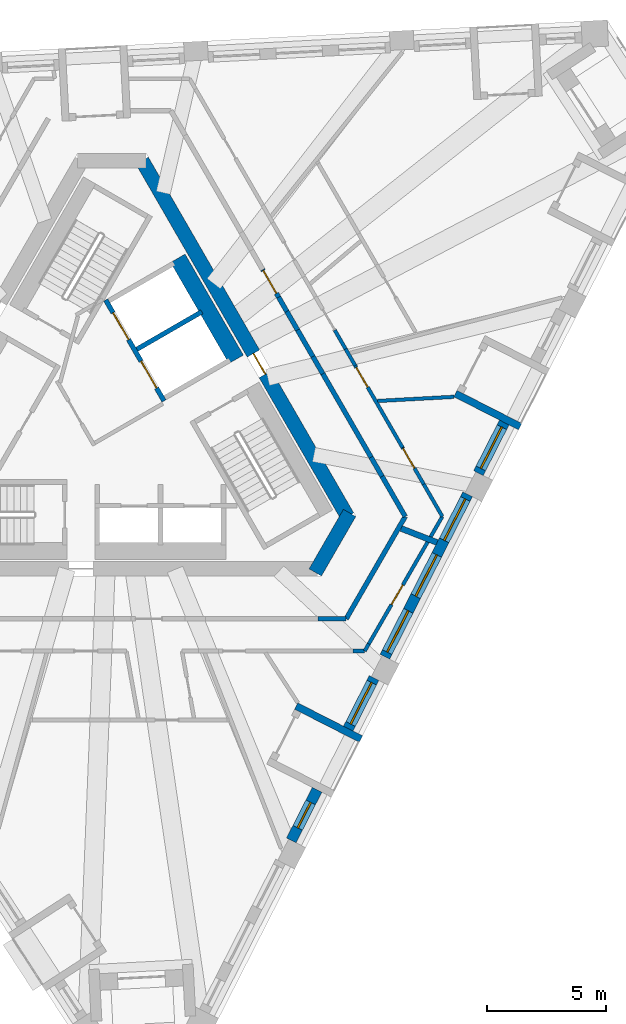
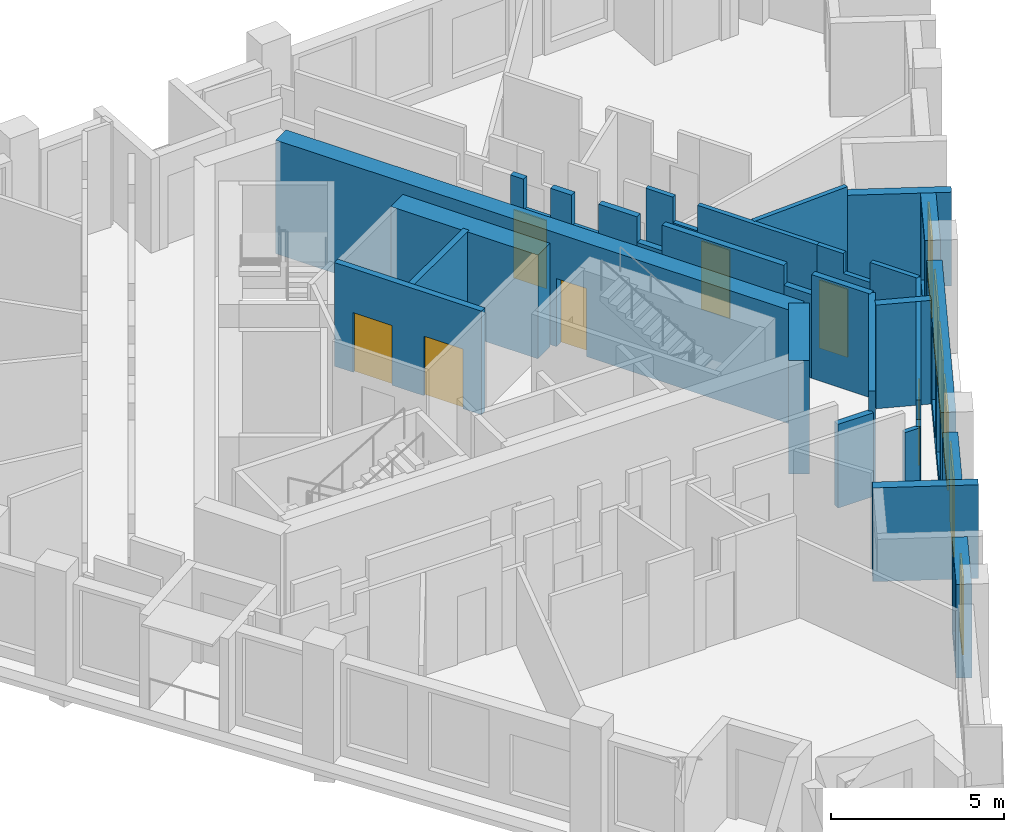
# One storey, part 5 of 12: 31 walls, 7 doors, 6 windows, 13 openings.
"""IFC4 building model written with IfcOpenShell, lengths in metres."""

import ifcopenshell
import ifcopenshell.guid

model = None  # the IFC model being written
_history = None  # IfcOwnerHistory: only IFC2X3 demands one
_inside = {}  # id of a spatial element -> (the spatial element, [elements in it])
_under = {}  # id of a project, library or spatial element -> (it, [spatial elements below it])
_declared = {}  # id of a project -> (the project, [libraries it declares])
_typed = {}  # id of a type object -> (the type object, [elements of that type])
_made_of = {}  # id of a material, layer set ... -> (it, [elements and type objects made of it])


def new_model(schema):
    """Start an empty IFC model of exactly this schema.

    Asked for "IFC4X3", IfcOpenShell would pick the latest addendum, in which some entities
    have other attributes; the version numbers below select the first issue.
    IFC2X3 requires an IfcOwnerHistory on every rooted entity: one is made here for all.
    """
    global model, _history
    if schema == "IFC4X3":
        model = ifcopenshell.file(schema_version=(4, 3, 0, 0))
    else:
        model = ifcopenshell.file(schema=schema)
    _inside.clear()
    _under.clear()
    _declared.clear()
    _typed.clear()
    _made_of.clear()
    _history = None
    if model.schema == "IFC2X3":
        org = make("IfcOrganization", Name="unknown")
        user = make(
            "IfcPersonAndOrganization",
            ThePerson=make("IfcPerson", FamilyName="unknown"),
            TheOrganization=org,
        )
        app = make(
            "IfcApplication",
            ApplicationDeveloper=org,
            Version="unknown",
            ApplicationFullName="unknown",
            ApplicationIdentifier="unknown",
        )
        _history = make(
            "IfcOwnerHistory",
            OwningUser=user,
            OwningApplication=app,
            ChangeAction="ADDED",
            CreationDate=0,
        )
    return model


def make(cls, **values):
    """One entity of the class cls with the attributes given. An attribute that is None is left unset."""
    return model.create_entity(
        cls, **{name: value for name, value in values.items() if value is not None}
    )


def rooted(cls, **values):
    """An entity with a GlobalId (a new one), such as an element, a storey or a relation."""
    return make(cls, GlobalId=ifcopenshell.guid.new(), OwnerHistory=_history, **values)


def si_unit(unit_type, name, prefix=None):
    """IfcSIUnit, for example si_unit("LENGTHUNIT", "METRE", prefix="MILLI")."""
    return make("IfcSIUnit", UnitType=unit_type, Prefix=prefix, Name=name)


def assignment(units):
    """IfcUnitAssignment: the units of a project."""
    return None if units is None else make("IfcUnitAssignment", Units=units)


def point(xyz):
    """IfcCartesianPoint."""
    return None if xyz is None else make("IfcCartesianPoint", Coordinates=xyz)


def direction(xyz):
    """IfcDirection."""
    return None if xyz is None else make("IfcDirection", DirectionRatios=xyz)


def frame(location, z_axis=None, x_axis=None):
    """IfcAxis2Placement3D, a coordinate frame: its origin and axes. An axis left out is left unset."""
    return make(
        "IfcAxis2Placement3D",
        Location=point(location),
        Axis=direction(z_axis),
        RefDirection=direction(x_axis),
    )


def frame_2d(location, x_axis=None):
    """IfcAxis2Placement2D, a coordinate frame in the plane: its origin and x axis."""
    return make(
        "IfcAxis2Placement2D", Location=point(location), RefDirection=direction(x_axis)
    )


def origin():
    """The frame at (0, 0, 0) with its axes left unset."""
    return frame((0.0, 0.0, 0.0))


def place(relative_to, where):
    """IfcLocalPlacement: puts the frame where relative to a parent placement (None: the world)."""
    return make(
        "IfcLocalPlacement", PlacementRelTo=relative_to, RelativePlacement=where
    )


def context(
    kind, dimensions, precision=None, world=None, true_north=None, identifier=None
):
    """IfcGeometricRepresentationContext, for example the 3D "Model" context."""
    return make(
        "IfcGeometricRepresentationContext",
        ContextIdentifier=identifier,
        ContextType=kind,
        CoordinateSpaceDimension=dimensions,
        Precision=precision,
        WorldCoordinateSystem=world,
        TrueNorth=true_north,
    )


def subcontext(parent, identifier, kind, view, scale=None):
    """IfcGeometricRepresentationSubContext, for example "Body" below "Model"."""
    return make(
        "IfcGeometricRepresentationSubContext",
        ContextIdentifier=identifier,
        ContextType=kind,
        ParentContext=parent,
        TargetScale=scale,
        TargetView=view,
    )


def project(units=None, contexts=None):
    """IfcProject with its units and contexts."""
    return rooted(
        "IfcProject",
        Name="project",
        RepresentationContexts=contexts,
        UnitsInContext=assignment(units),
    )


def spatial(cls, under=None, at=None, **own):
    """A site, building, storey or space (cls), placed at a placement, below another one or the project."""
    s = rooted(cls, ObjectPlacement=at, **own)
    if under is not None:
        _under.setdefault(under.id(), (under, []))[1].append(s)
    return s


def polyline(points):
    """IfcPolyline through the points."""
    return make("IfcPolyline", Points=[point(p) for p in points])


def profile(cls, at=None, kind="AREA", **sizes):
    """A parametric profile (cls). Its sizes go by their IFC names, for example OverallWidth=200.0."""
    return make(cls, ProfileType=kind, Position=at, **sizes)


def rectangle(**sizes):
    """IfcRectangleProfileDef."""
    return profile("IfcRectangleProfileDef", **sizes)


def outline(outer, holes=None, kind="AREA"):
    """IfcArbitraryClosedProfileDef: a profile drawn as a closed curve; with holes, ...WithVoids."""
    if holes is None:
        return make("IfcArbitraryClosedProfileDef", ProfileType=kind, OuterCurve=outer)
    return make(
        "IfcArbitraryProfileDefWithVoids",
        ProfileType=kind,
        OuterCurve=outer,
        InnerCurves=holes,
    )


def extrude(swept, where, along, depth):
    """IfcExtrudedAreaSolid: the profile swept, set in the frame where, extruded along a direction by depth."""
    return make(
        "IfcExtrudedAreaSolid",
        SweptArea=swept,
        Position=where,
        ExtrudedDirection=direction(along),
        Depth=depth,
    )


def shape(context_of_items, identifier, shape_type, items):
    """IfcShapeRepresentation: the items that make up one representation, for example the "Body"."""
    return make(
        "IfcShapeRepresentation",
        ContextOfItems=context_of_items,
        RepresentationIdentifier=identifier,
        RepresentationType=shape_type,
        Items=items,
    )


def material(Name=None, Category=None):
    """IfcMaterial."""
    return make("IfcMaterial", Name=Name, Category=Category)


def layer(
    of_material, thickness, ventilated=None, Name=None, Category=None, Priority=None
):
    """IfcMaterialLayer: one layer of a wall or slab, of a material (None: an air gap)."""
    return make(
        "IfcMaterialLayer",
        Material=of_material,
        LayerThickness=thickness,
        IsVentilated=ventilated,
        Name=Name,
        Category=Category,
        Priority=Priority,
    )


def layer_set(layers, Name=None):
    """IfcMaterialLayerSet."""
    return make("IfcMaterialLayerSet", MaterialLayers=layers, LayerSetName=Name)


def made_of(thing, what):
    """Note that an element or type object is made of a material, layer set ...; save() writes the relation."""
    if what is not None:
        _made_of.setdefault(what.id(), (what, []))[1].append(thing)
    return thing


def type_object(cls, material=None, **own):
    """A type object (cls), such as IfcWallType, which elements share."""
    return made_of(rooted(cls, **own), material)


def element(
    cls,
    number,
    at=None,
    inside=None,
    cuts=None,
    type_object=None,
    material=None,
    context=None,
    identifier="Body",
    shape_type=None,
    held_by="IfcProductDefinitionShape",
    body=None,
    shapes=None,
    **own,
):
    """One element of the class cls, such as IfcWall. Its Tag is "e" and its number.

    at: its placement. inside: the storey or other place that contains it. cuts: it is an
    opening in that element (IfcRelVoidsElement). A single representation is given by context,
    identifier, shape_type and body (its items); several are given by shapes. held_by: the class
    of the entity that holds the representations. save() writes the other relations.
    """
    e = rooted(cls, Tag="e%d" % number, ObjectPlacement=at, **own)
    if body is not None:
        shapes = [shape(context, identifier, shape_type, body)]
    if shapes is not None:
        e.Representation = make(held_by, Representations=shapes)
    if inside is not None:
        _inside.setdefault(inside.id(), (inside, []))[1].append(e)
    if cuts is not None:
        rooted(
            "IfcRelVoidsElement", RelatingBuildingElement=cuts, RelatedOpeningElement=e
        )
    if type_object is not None:
        _typed.setdefault(type_object.id(), (type_object, []))[1].append(e)
    return made_of(e, material)


def fill(opening, filler):
    """IfcRelFillsElement: the door or window that sits in an opening."""
    return rooted(
        "IfcRelFillsElement",
        RelatingOpeningElement=opening,
        RelatedBuildingElement=filler,
    )


def aggregate(whole, parts):
    """IfcRelAggregates: a whole, such as a stair, and the parts it consists of."""
    return rooted("IfcRelAggregates", RelatingObject=whole, RelatedObjects=parts)


def save(model, path):
    """Write the relations noted so far, then the file.

    IfcRelAggregates (storeys below a building ...), IfcRelContainedInSpatialStructure (elements
    in a storey), IfcRelDefinesByType, IfcRelAssociatesMaterial and IfcRelDeclares: one each for
    every whole, place, type object, material and project.
    """
    for whole, parts in _under.values():
        aggregate(whole, parts)
    for where, things in _inside.values():
        rooted(
            "IfcRelContainedInSpatialStructure",
            RelatedElements=things,
            RelatingStructure=where,
        )
    for kind, things in _typed.values():
        rooted("IfcRelDefinesByType", RelatedObjects=things, RelatingType=kind)
    for what, things in _made_of.values():
        rooted("IfcRelAssociatesMaterial", RelatedObjects=things, RelatingMaterial=what)
    for by, libraries in _declared.values():
        rooted("IfcRelDeclares", RelatingContext=by, RelatedDefinitions=libraries)
    model.write(path)


model = new_model("IFC4")

# Units and contexts
model_context = context("Model", 3, precision=1e-05, world=origin(), true_north=direction((0.0, 1.0)))
body_context = subcontext(model_context, "Body", "Model", "MODEL_VIEW")
ifc_project = project(units=[si_unit("LENGTHUNIT", "METRE"), si_unit("AREAUNIT", "SQUARE_METRE"), si_unit("VOLUMEUNIT", "CUBIC_METRE"), si_unit("PLANEANGLEUNIT", "RADIAN"), si_unit("MASSUNIT", "GRAM", prefix="KILO")], contexts=[model_context])

# Site, building, storey
site_placement = place(None, origin())
site = spatial("IfcSite", under=ifc_project, at=site_placement, CompositionType="ELEMENT")
building_placement = place(site_placement, origin())
building = spatial("IfcBuilding", under=site, at=building_placement, Name="Tramontana Tower", CompositionType="ELEMENT")
storey_placement = place(building_placement, frame((0.0, 0.0, 278.39990234375)))
storey = spatial("IfcBuildingStorey", under=building, at=storey_placement, Name="L65", CompositionType="ELEMENT", Elevation=278.39990234375)

# Wall
ifc_material_1 = material(Name="Concrete 70 MPa", Category="concrete")
ifc_layer_1 = layer(ifc_material_1, 0.60009765625)
ifc_layer_set_1 = layer_set([ifc_layer_1], Name="Core wall 600 70 MPa")
wall_type_1 = type_object("IfcWallType", Name="Core wall 600 70 MPa", PredefinedType="SHEAR", material=ifc_layer_set_1)
wall_1_placement = place(storey_placement, frame((8.544921875, -6.60009765625, 0.0), z_axis=(0.0, 0.0, 1.0), x_axis=(0.499995765644, 0.866027848477, 0.0)))
element("IfcWall", 1, at=wall_1_placement, inside=storey, type_object=wall_type_1, Name="Core wall C4 L65", PredefinedType="SHEAR", context=body_context, shape_type="SweptSolid", body=[
    extrude(rectangle(XDim=2.88671875, YDim=0.60009765625, at=frame_2d((1.443359375, 0.0))), origin(), (0.0, 0.0, 1.0), 4.0),
])

# Wall, opening, door
wall_2_placement = place(storey_placement, frame((9.901611328125, -4.25, 0.0), z_axis=(0.0, 0.0, 1.0), x_axis=(-0.499999536116, 0.866025671608, 0.0)))
wall_2 = element("IfcWall", 2, at=wall_2_placement, inside=storey, type_object=wall_type_1, Name="Core wall C5 L65", PredefinedType="SHEAR", context=body_context, shape_type="SweptSolid", body=[
    extrude(rectangle(XDim=17.2626953125, YDim=0.60009765625, at=frame_2d((8.63134765625, 0.0))), origin(), (0.0, 0.0, 1.0), 4.0),
])
opening_1_placement = place(wall_2_placement, frame((6.906494140625, 0.0, 0.0)))
opening_1 = element("IfcOpeningElement", 3, at=opening_1_placement, cuts=wall_2, Name="Opening RG3", PredefinedType="OPENING", context=body_context, shape_type="SweptSolid", body=[
    extrude(rectangle(XDim=1.0, YDim=2.39990234375, at=frame_2d((0.5, 1.199951171875))), frame((0.0, 0.31005859375, 0.0), z_axis=(0.0, -1.0, 0.0), x_axis=(1.0, 0.0, 0.0)), (0.0, 0.0, 1.0), 0.6201171875),
])
ifc_material_2 = material(Name="Painted steel", Category="steel")
door_type_1 = type_object("IfcDoorType", Name="RING DOOR 1000", OperationType="SINGLE_SWING_LEFT", PredefinedType="DOOR", material=ifc_material_2)
door_1_placement = place(opening_1_placement, origin())
door_1 = element("IfcDoor", 4, at=door_1_placement, inside=storey, type_object=door_type_1, Name="Door RG3", OperationType="SINGLE_SWING_LEFT", OverallHeight=2.39990234375, OverallWidth=1.0, PredefinedType="DOOR", context=body_context, shape_type="SweptSolid", body=[
    extrude(rectangle(XDim=1.0, YDim=2.39990234375, at=frame_2d((0.5, 1.199951171875))), frame((0.0, 0.02490234375, 0.0), z_axis=(0.0, -1.0, 0.0), x_axis=(1.0, 0.0, 0.0)), (0.0, 0.0, 1.0), 0.050048828125),
])
fill(opening_1, door_1)

# Walls
ifc_material_3 = material(Name="Blockwork", Category="masonry")
ifc_layer_2 = layer(ifc_material_3, 0.199951171875)
ifc_layer_set_2 = layer_set([ifc_layer_2], Name="ENTRY WALL 200")
wall_type_2 = type_object("IfcWallType", Name="ENTRY WALL 200", PredefinedType="SOLIDWALL", material=ifc_layer_set_2)
wall_3_placement = place(storey_placement, frame((12.326416015625, -4.25, 0.0), z_axis=(0.0, 0.0, 1.0), x_axis=(-0.50000478328, -0.866022642139, 0.0)))
element("IfcWall", 5, at=wall_3_placement, inside=storey, type_object=wall_type_2, Name="Wall v70-ew0", PredefinedType="SOLIDWALL", context=body_context, shape_type="SweptSolid", body=[
    extrude(rectangle(XDim=4.96533203125, YDim=0.199951171875, at=frame_2d((2.482666015625, 0.0))), origin(), (0.0, 0.0, 1.0), 3.650146484375),
])
wall_4_placement = place(storey_placement, frame((9.84375, -8.550048828125, 0.0), z_axis=(0.0, 0.0, 1.0), x_axis=(-1.0, 0.0, 0.0)))
element("IfcWall", 6, at=wall_4_placement, inside=storey, type_object=wall_type_2, Name="Wall v70-ew1-0", PredefinedType="SOLIDWALL", context=body_context, shape_type="SweptSolid", body=[
    extrude(rectangle(XDim=1.1884765625, YDim=0.199951171875, at=frame_2d((0.59423828125, 0.0))), origin(), (0.0, 0.0, 1.0), 2.9501953125),
])

# Wall, opening, door
wall_5_placement = place(storey_placement, frame((6.33740234375, 6.123291015625, 0.0), z_axis=(0.0, 0.0, 1.0), x_axis=(0.499943416353, -0.866058069904, 0.0)))
wall_5 = element("IfcWall", 7, at=wall_5_placement, inside=storey, type_object=wall_type_2, Name="Wall v70-ew5-4", PredefinedType="SOLIDWALL", context=body_context, shape_type="SweptSolid", body=[
    extrude(outline(polyline([(0.0, 0.0), (1.339111328125, 0.0), (1.3388671875, 2.550048828125), (0.429443359375, 2.550048828125), (0.429443359375, 3.650146484375), (0.0, 3.650146484375), (0.0, 0.0)])), frame((0.0, 0.10009765625, 0.0), z_axis=(0.0, -1.0, 0.0), x_axis=(1.0, 0.0, 0.0)), (0.0, 0.0, 1.0), 0.199951171875),
])
opening_2_placement = place(wall_5_placement, frame((0.050048828125, 0.0, 0.0)))
opening_2 = element("IfcOpeningElement", 8, at=opening_2_placement, cuts=wall_5, Name="Opening B7A-23", PredefinedType="OPENING", context=body_context, shape_type="SweptSolid", body=[
    extrude(rectangle(XDim=1.10009765625, YDim=2.39990234375, at=frame_2d((0.550048828125, 1.199951171875))), frame((0.0, 0.10986328125, 0.0), z_axis=(0.0, -1.0, 0.0), x_axis=(1.0, 0.0, 0.0)), (0.0, 0.0, 1.0), 0.219970703125),
])
ifc_material_4 = material(Name="Painted timber", Category="wood")
door_type_2 = type_object("IfcDoorType", Name="DOOR ENTRY 1100", OperationType="SINGLE_SWING_LEFT", PredefinedType="DOOR", material=ifc_material_4)
door_2_placement = place(opening_2_placement, origin())
door_2 = element("IfcDoor", 9, at=door_2_placement, inside=storey, type_object=door_type_2, Name="Door B7A-23", OperationType="SINGLE_SWING_LEFT", OverallHeight=2.39990234375, OverallWidth=1.10009765625, PredefinedType="DOOR", context=body_context, shape_type="SweptSolid", body=[
    extrude(rectangle(XDim=1.10009765625, YDim=2.39990234375, at=frame_2d((0.550048828125, 1.199951171875))), frame((0.0, 0.02490234375, 0.0), z_axis=(0.0, -1.0, 0.0), x_axis=(1.0, 0.0, 0.0)), (0.0, 0.0, 1.0), 0.050048828125),
])
fill(opening_2, door_2)

# Walls
wall_6_placement = place(storey_placement, frame((7.0068359375, 4.963623046875, 0.0), z_axis=(0.0, 0.0, 1.0), x_axis=(0.499977339252, -0.866038486578, 0.0)))
element("IfcWall", 10, at=wall_6_placement, inside=storey, type_object=wall_type_2, Name="Wall v70-ew5-5", PredefinedType="SOLIDWALL", context=body_context, shape_type="SweptSolid", body=[
    extrude(rectangle(XDim=0.69091796875, YDim=0.199951171875, at=frame_2d((0.345458984375, 0.0))), origin(), (0.0, 0.0, 1.0), 3.650146484375),
])
wall_7_placement = place(storey_placement, frame((7.352294921875, 4.365234375, 0.0), z_axis=(0.0, 0.0, 1.0), x_axis=(0.500074377092, -0.865982457891, 0.0)))
element("IfcWall", 11, at=wall_7_placement, inside=storey, type_object=wall_type_2, Name="Wall v70-ew5-6", PredefinedType="SOLIDWALL", context=body_context, shape_type="SweptSolid", body=[
    extrude(rectangle(XDim=0.900634765625, YDim=0.199951171875, at=frame_2d((0.4501953125, 0.0))), origin(), (0.0, 0.0, 1.0), 2.550048828125),
])
wall_8_placement = place(storey_placement, frame((7.802734375, 3.585205078125, 0.0), z_axis=(0.0, 0.0, 1.0), x_axis=(0.500018234033, -0.866014876105, 0.0)))
element("IfcWall", 12, at=wall_8_placement, inside=storey, type_object=wall_type_2, Name="Wall v70-ew5-7", PredefinedType="SOLIDWALL", context=body_context, shape_type="SweptSolid", body=[
    extrude(rectangle(XDim=1.2861328125, YDim=0.199951171875, at=frame_2d((0.64306640625, 0.0))), origin(), (0.0, 0.0, 1.0), 3.650146484375),
])
wall_9_placement = place(storey_placement, frame((8.44580078125, 2.471435546875, 0.0), z_axis=(0.0, 0.0, 1.0), x_axis=(0.499950631041, -0.86605390509, 0.0)))
element("IfcWall", 13, at=wall_9_placement, inside=storey, type_object=wall_type_2, Name="Wall v70-ew5-8", PredefinedType="SOLIDWALL", context=body_context, shape_type="SweptSolid", body=[
    extrude(rectangle(XDim=0.83349609375, YDim=0.199951171875, at=frame_2d((0.416748046875, 0.0))), origin(), (0.0, 0.0, 1.0), 2.75),
])
wall_10_placement = place(storey_placement, frame((8.862548828125, 1.74951171875, 0.0), z_axis=(0.0, 0.0, 1.0), x_axis=(0.500007556608, -0.866021040931, 0.0)))
element("IfcWall", 14, at=wall_10_placement, inside=storey, type_object=wall_type_2, Name="Wall v70-ew5-9", PredefinedType="SOLIDWALL", context=body_context, shape_type="SweptSolid", body=[
    extrude(rectangle(XDim=4.05224609375, YDim=0.199951171875, at=frame_2d((2.026123046875, 0.0))), origin(), (0.0, 0.0, 1.0), 3.650146484375),
])
wall_11_placement = place(storey_placement, frame((10.888671875, -1.759765625, 0.0), z_axis=(0.0, 0.0, 1.0), x_axis=(0.500102178127, -0.865966403178, 0.0)))
element("IfcWall", 15, at=wall_11_placement, inside=storey, type_object=wall_type_2, Name="Wall v70-ew5-10", PredefinedType="SOLIDWALL", context=body_context, shape_type="SweptSolid", body=[
    extrude(rectangle(XDim=0.927490234375, YDim=0.199951171875, at=frame_2d((0.4638671875, 0.0))), origin(), (0.0, 0.0, 1.0), 2.9501953125),
])
wall_12_placement = place(storey_placement, frame((11.3525390625, -2.56298828125, 0.0), z_axis=(0.0, 0.0, 1.0), x_axis=(0.499953905513, -0.866052014814, 0.0)))
element("IfcWall", 16, at=wall_12_placement, inside=storey, type_object=wall_type_2, Name="Wall v70-ew5-11", PredefinedType="SOLIDWALL", context=body_context, shape_type="SweptSolid", body=[
    extrude(rectangle(XDim=1.947998046875, YDim=0.199951171875, at=frame_2d((0.97412109375, 0.0))), origin(), (0.0, 0.0, 1.0), 3.650146484375),
])

# Wall, opening, window
ifc_material_5 = material(Name="Precast concrete 60 MPa", Category="concrete")
ifc_layer_3 = layer(ifc_material_5, 0.449951171875)
ifc_layer_set_3 = layer_set([ifc_layer_3], Name="Precast concrete 60 MPa, 450 mm")
wall_type_3 = type_object("IfcWallType", Name="EW1 Stone-faced precast wall 450", PredefinedType="SOLIDWALL", material=ifc_layer_set_3)
wall_13_placement = place(storey_placement, frame((7.53857421875, -17.859375, 0.0), z_axis=(0.0, 0.0, 1.0), x_axis=(0.454074413722, 0.890963762901, 0.0)))
wall_13 = element("IfcWall", 17, at=wall_13_placement, inside=storey, type_object=wall_type_3, Name="External wall L65 face 1 bay 2", PredefinedType="SOLIDWALL", context=body_context, shape_type="SweptSolid", body=[
    extrude(rectangle(XDim=2.38671875, YDim=0.449951171875, at=frame_2d((1.193359375, 0.0))), origin(), (0.0, 0.0, 1.0), 3.300048828125),
])
opening_3_placement = place(wall_13_placement, frame((0.59326171875, 0.0, 0.39990234375)))
opening_3 = element("IfcOpeningElement", 18, at=opening_3_placement, cuts=wall_13, Name="Opening N3", PredefinedType="OPENING", context=body_context, shape_type="SweptSolid", body=[
    extrude(rectangle(XDim=1.199951171875, YDim=2.75, at=frame_2d((0.60009765625, 1.375))), frame((0.0, 0.23486328125, 0.0), z_axis=(0.0, -1.0, 0.0), x_axis=(1.0, 0.0, 0.0)), (0.0, 0.0, 1.0), 0.469970703125),
])
ifc_material_6 = material(Name="Aluminum frame, double glazing unit", Category="aluminium")
window_type_1 = type_object("IfcWindowType", Name="N3 Window 1.2 x 2.75", PartitioningType="SINGLE_PANEL", PredefinedType="WINDOW", material=ifc_material_6)
window_1_placement = place(opening_3_placement, origin())
window_1 = element("IfcWindow", 19, at=window_1_placement, inside=storey, type_object=window_type_1, Name="Window N3 L65 face 1 module 4", OverallHeight=2.75, OverallWidth=1.199951171875, PartitioningType="SINGLE_PANEL", PredefinedType="WINDOW", context=body_context, shape_type="SweptSolid", body=[
    extrude(rectangle(XDim=1.199951171875, YDim=2.75, at=frame_2d((0.60009765625, 1.375))), frame((0.0, 0.030029296875, 0.0), z_axis=(0.0, -1.0, 0.0), x_axis=(1.0, 0.0, 0.0)), (0.0, 0.0, 1.0), 0.06005859375),
])
fill(opening_3, window_1)

wall_14_placement = place(storey_placement, frame((9.932861328125, -13.16064453125, 0.0), z_axis=(0.0, 0.0, 1.0), x_axis=(0.453993206954, 0.891005144788, 0.0)))
wall_14 = element("IfcWall", 20, at=wall_14_placement, inside=storey, type_object=wall_type_3, Name="External wall L65 face 1 bay 2", PredefinedType="SOLIDWALL", context=body_context, shape_type="SweptSolid", body=[
    extrude(rectangle(XDim=2.386474609375, YDim=0.449951171875, at=frame_2d((1.193359375, 0.0))), origin(), (0.0, 0.0, 1.0), 3.300048828125),
])
opening_4_placement = place(wall_14_placement, frame((0.21826171875, 0.0, 0.39990234375)))
opening_4 = element("IfcOpeningElement", 21, at=opening_4_placement, cuts=wall_14, Name="Opening M3", PredefinedType="OPENING", context=body_context, shape_type="SweptSolid", body=[
    extrude(rectangle(XDim=1.949951171875, YDim=2.75, at=frame_2d((0.97509765625, 1.375))), frame((0.0, 0.23486328125, 0.0), z_axis=(0.0, -1.0, 0.0), x_axis=(1.0, 0.0, 0.0)), (0.0, 0.0, 1.0), 0.469970703125),
])
ifc_material_7 = material(Name="Aluminum frame, double glazing unit", Category="aluminium")
window_type_2 = type_object("IfcWindowType", Name="M3 Window 1.95 x 2.75", PartitioningType="SINGLE_PANEL", PredefinedType="WINDOW", material=ifc_material_7)
window_2_placement = place(opening_4_placement, origin())
window_2 = element("IfcWindow", 22, at=window_2_placement, inside=storey, type_object=window_type_2, Name="Window M3 L65 face 1 module 6", OverallHeight=2.75, OverallWidth=1.949951171875, PartitioningType="SINGLE_PANEL", PredefinedType="WINDOW", context=body_context, shape_type="SweptSolid", body=[
    extrude(rectangle(XDim=1.949951171875, YDim=2.75, at=frame_2d((0.97509765625, 1.375))), frame((0.0, 0.030029296875, 0.0), z_axis=(0.0, -1.0, 0.0), x_axis=(1.0, 0.0, 0.0)), (0.0, 0.0, 1.0), 0.06005859375),
])
fill(opening_4, window_2)

# Wall, openings, windows
wall_15_placement = place(storey_placement, frame((11.47021484375, -10.14306640625, 0.0), z_axis=(0.0, 0.0, 1.0), x_axis=(0.453995484395, 0.891003984362, 0.0)))
wall_15 = element("IfcWall", 23, at=wall_15_placement, inside=storey, type_object=wall_type_3, Name="External wall L65 face 1 bay 3", PredefinedType="SOLIDWALL", context=body_context, shape_type="SweptSolid", body=[
    extrude(rectangle(XDim=7.660400390625, YDim=0.449951171875, at=frame_2d((3.830078125, 0.0))), origin(), (0.0, 0.0, 1.0), 3.300048828125),
])
opening_5_placement = place(wall_15_placement, frame((0.21826171875, 0.0, 0.39990234375)))
opening_5 = element("IfcOpeningElement", 24, at=opening_5_placement, cuts=wall_15, Name="Opening M3", PredefinedType="OPENING", context=body_context, shape_type="SweptSolid", body=[
    extrude(rectangle(XDim=1.949951171875, YDim=2.75, at=frame_2d((0.97509765625, 1.375))), frame((0.0, 0.23486328125, 0.0), z_axis=(0.0, -1.0, 0.0), x_axis=(1.0, 0.0, 0.0)), (0.0, 0.0, 1.0), 0.469970703125),
])
opening_6_placement = place(wall_15_placement, frame((2.855224609375, 0.0, 0.39990234375)))
opening_6 = element("IfcOpeningElement", 25, at=opening_6_placement, cuts=wall_15, Name="Opening M3", PredefinedType="OPENING", context=body_context, shape_type="SweptSolid", body=[
    extrude(rectangle(XDim=1.949951171875, YDim=2.75, at=frame_2d((0.97509765625, 1.375))), frame((0.0, 0.23486328125, 0.0), z_axis=(0.0, -1.0, 0.0), x_axis=(1.0, 0.0, 0.0)), (0.0, 0.0, 1.0), 0.469970703125),
])
opening_7_placement = place(wall_15_placement, frame((5.491943359375, 0.0, 0.39990234375)))
opening_7 = element("IfcOpeningElement", 26, at=opening_7_placement, cuts=wall_15, Name="Opening M3", PredefinedType="OPENING", context=body_context, shape_type="SweptSolid", body=[
    extrude(rectangle(XDim=1.949951171875, YDim=2.75, at=frame_2d((0.97509765625, 1.375))), frame((0.0, 0.23486328125, 0.0), z_axis=(0.0, -1.0, 0.0), x_axis=(1.0, 0.0, 0.0)), (0.0, 0.0, 1.0), 0.469970703125),
])
window_3_placement = place(opening_5_placement, origin())
window_3 = element("IfcWindow", 27, at=window_3_placement, inside=storey, type_object=window_type_2, Name="Window M3 L65 face 1 module 7", OverallHeight=2.75, OverallWidth=1.949951171875, PartitioningType="SINGLE_PANEL", PredefinedType="WINDOW", context=body_context, shape_type="SweptSolid", body=[
    extrude(rectangle(XDim=1.949951171875, YDim=2.75, at=frame_2d((0.97509765625, 1.375))), frame((0.0, 0.030029296875, 0.0), z_axis=(0.0, -1.0, 0.0), x_axis=(1.0, 0.0, 0.0)), (0.0, 0.0, 1.0), 0.06005859375),
])
fill(opening_5, window_3)
window_4_placement = place(opening_6_placement, origin())
window_4 = element("IfcWindow", 28, at=window_4_placement, inside=storey, type_object=window_type_2, Name="Window M3 L65 face 1 module 8", OverallHeight=2.75, OverallWidth=1.949951171875, PartitioningType="SINGLE_PANEL", PredefinedType="WINDOW", context=body_context, shape_type="SweptSolid", body=[
    extrude(rectangle(XDim=1.949951171875, YDim=2.75, at=frame_2d((0.97509765625, 1.375))), frame((0.0, 0.030029296875, 0.0), z_axis=(0.0, -1.0, 0.0), x_axis=(1.0, 0.0, 0.0)), (0.0, 0.0, 1.0), 0.06005859375),
])
fill(opening_6, window_4)
window_5_placement = place(opening_7_placement, origin())
window_5 = element("IfcWindow", 29, at=window_5_placement, inside=storey, type_object=window_type_2, Name="Window M3 L65 face 1 module 9", OverallHeight=2.75, OverallWidth=1.949951171875, PartitioningType="SINGLE_PANEL", PredefinedType="WINDOW", context=body_context, shape_type="SweptSolid", body=[
    extrude(rectangle(XDim=1.949951171875, YDim=2.75, at=frame_2d((0.97509765625, 1.375))), frame((0.0, 0.030029296875, 0.0), z_axis=(0.0, -1.0, 0.0), x_axis=(1.0, 0.0, 0.0)), (0.0, 0.0, 1.0), 0.06005859375),
])
fill(opening_7, window_5)

# Wall, opening, window
wall_16_placement = place(storey_placement, frame((15.402099609375, -2.4267578125, 0.0), z_axis=(0.0, 0.0, 1.0), x_axis=(0.453951830128, 0.891026226283, 0.0)))
wall_16 = element("IfcWall", 30, at=wall_16_placement, inside=storey, type_object=wall_type_3, Name="External wall L65 face 1 bay 4", PredefinedType="SOLIDWALL", context=body_context, shape_type="SweptSolid", body=[
    extrude(rectangle(XDim=2.38671875, YDim=0.449951171875, at=frame_2d((1.193359375, 0.0))), origin(), (0.0, 0.0, 1.0), 3.300048828125),
])
opening_8_placement = place(wall_16_placement, frame((0.21826171875, 0.0, 0.39990234375)))
opening_8 = element("IfcOpeningElement", 31, at=opening_8_placement, cuts=wall_16, Name="Opening M3", PredefinedType="OPENING", context=body_context, shape_type="SweptSolid", body=[
    extrude(rectangle(XDim=1.949951171875, YDim=2.75, at=frame_2d((0.97509765625, 1.375))), frame((0.0, 0.23486328125, 0.0), z_axis=(0.0, -1.0, 0.0), x_axis=(1.0, 0.0, 0.0)), (0.0, 0.0, 1.0), 0.469970703125),
])
window_6_placement = place(opening_8_placement, origin())
window_6 = element("IfcWindow", 32, at=window_6_placement, inside=storey, type_object=window_type_2, Name="Window M3 L65 face 1 module 10", OverallHeight=2.75, OverallWidth=1.949951171875, PartitioningType="SINGLE_PANEL", PredefinedType="WINDOW", context=body_context, shape_type="SweptSolid", body=[
    extrude(rectangle(XDim=1.949951171875, YDim=2.75, at=frame_2d((0.97509765625, 1.375))), frame((0.0, 0.030029296875, 0.0), z_axis=(0.0, -1.0, 0.0), x_axis=(1.0, 0.0, 0.0)), (0.0, 0.0, 1.0), 0.06005859375),
])
fill(opening_8, window_6)

# Walls
ifc_material_8 = material(Name="Precast concrete 60 MPa", Category="concrete")
ifc_layer_4 = layer(ifc_material_8, 0.300048828125)
ifc_layer_set_4 = layer_set([ifc_layer_4], Name="LW1 Stone-faced loggia wall 300")
wall_type_4 = type_object("IfcWallType", Name="LW1 Stone-faced loggia wall 300", PredefinedType="SOLIDWALL", material=ifc_layer_set_4)
for number, where, z_axis, x_axis, name in (
    (33, (10.466064453125, -13.600830078125, 0.0), (0.0, 0.0, 1.0), (-0.890991233495, 0.454020508165, 0.0), "Loggia return L65 G7S1.4b"),
    (34, (17.155029296875, -0.472900390625, 0.0), (0.0, 0.0, 1.0), (-0.890991233495, 0.454020508165, 0.0), "Loggia return L65 G7S1.10a"),
):
    element("IfcWall", number, at=place(storey_placement, frame(where, z_axis=z_axis, x_axis=x_axis)), inside=storey, type_object=wall_type_4, Name=name, PredefinedType="SOLIDWALL", context=body_context, shape_type="SweptSolid", body=[
        extrude(rectangle(XDim=3.050048828125, YDim=0.300048828125, at=frame_2d((1.52490234375, 0.0))), origin(), (0.0, 0.0, 1.0), 3.300048828125),
    ])
ifc_material_9 = material(Name="Gypsum board partition")
ifc_layer_5 = layer(ifc_material_9, 0.14990234375)
ifc_layer_set_5 = layer_set([ifc_layer_5], Name="PARTITION 150")
wall_type_5 = type_object("IfcWallType", Name="PARTITION 150", PredefinedType="PARTITIONING", material=ifc_layer_set_5)
wall_17_placement = place(storey_placement, frame((9.363037109375, 3.582763671875, 0.0), z_axis=(0.0, 0.0, 1.0), x_axis=(0.500085693753, -0.86597592282, 0.0)))
element("IfcWall", 35, at=wall_17_placement, inside=storey, type_object=wall_type_5, Name="Wall v70-pw18-7", PredefinedType="PARTITIONING", context=body_context, shape_type="SweptSolid", body=[
    extrude(rectangle(XDim=0.911376953125, YDim=0.14990234375, at=frame_2d((0.45556640625, 0.0))), origin(), (0.0, 0.0, 1.0), 3.650146484375),
])
wall_18_placement = place(storey_placement, frame((9.81884765625, 2.79345703125, 0.0), z_axis=(0.0, 0.0, 1.0), x_axis=(0.499748625964, -0.866170486017, 0.0)))
element("IfcWall", 36, at=wall_18_placement, inside=storey, type_object=wall_type_5, Name="Wall v70-pw18-8", PredefinedType="PARTITIONING", context=body_context, shape_type="SweptSolid", body=[
    extrude(rectangle(XDim=0.8076171875, YDim=0.14990234375, at=frame_2d((0.40380859375, 0.0))), origin(), (0.0, 0.0, 1.0), 2.75),
])

# Wall, opening, door
wall_19_placement = place(storey_placement, frame((10.222412109375, 2.093994140625, 0.0), z_axis=(0.0, 0.0, 1.0), x_axis=(0.500039377857, -0.866002667774, 0.0)))
wall_19 = element("IfcWall", 37, at=wall_19_placement, inside=storey, type_object=wall_type_5, Name="Wall v70-pw18-9", PredefinedType="PARTITIONING", context=body_context, shape_type="SweptSolid", body=[
    extrude(rectangle(XDim=3.978759765625, YDim=0.14990234375, at=frame_2d((1.9892578125, 0.0))), origin(), (0.0, 0.0, 1.0), 3.650146484375),
])
opening_9_placement = place(wall_19_placement, frame((0.0966796875, 0.0, 0.0)))
opening_9 = element("IfcOpeningElement", 38, at=opening_9_placement, cuts=wall_19, Name="Opening B7A-16", PredefinedType="OPENING", context=body_context, shape_type="SweptSolid", body=[
    extrude(rectangle(XDim=0.949951171875, YDim=2.39990234375, at=frame_2d((0.47509765625, 1.199951171875))), frame((0.0, 0.0849609375, 0.0), z_axis=(0.0, -1.0, 0.0), x_axis=(1.0, 0.0, 0.0)), (0.0, 0.0, 1.0), 0.169921875),
])
ifc_material_10 = material(Name="Painted timber", Category="wood")
door_type_3 = type_object("IfcDoorType", Name="DOOR ROOM 950", OperationType="SINGLE_SWING_LEFT", PredefinedType="DOOR", material=ifc_material_10)
door_3_placement = place(opening_9_placement, origin())
door_3 = element("IfcDoor", 39, at=door_3_placement, inside=storey, type_object=door_type_3, Name="Door B7A-16", OperationType="SINGLE_SWING_RIGHT", OverallHeight=2.39990234375, OverallWidth=0.949951171875, PredefinedType="DOOR", context=body_context, shape_type="SweptSolid", body=[
    extrude(rectangle(XDim=0.949951171875, YDim=2.39990234375, at=frame_2d((0.47509765625, 1.199951171875))), frame((0.0, 0.02490234375, 0.0), z_axis=(0.0, -1.0, 0.0), x_axis=(1.0, 0.0, 0.0)), (0.0, 0.0, 1.0), 0.050048828125),
])
fill(opening_9, door_3)

wall_20_placement = place(storey_placement, frame((12.2119140625, -1.3515625, 0.0), z_axis=(0.0, 0.0, 1.0), x_axis=(0.500011952599, -0.866018502838, 0.0)))
wall_20 = element("IfcWall", 40, at=wall_20_placement, inside=storey, type_object=wall_type_5, Name="Wall v70-pw18-10", PredefinedType="PARTITIONING", context=body_context, shape_type="SweptSolid", body=[
    extrude(outline(polyline([(0.0, 0.0), (1.7763671875, 0.0), (1.7763671875, 2.9501953125), (0.882080078125, 2.9501953125), (0.882080078125, 3.650146484375), (0.0, 3.650146484375), (0.0, 0.0)])), frame((0.0, 0.074951171875, 0.0), z_axis=(0.0, -1.0, 0.0), x_axis=(1.0, 0.0, 0.0)), (0.0, 0.0, 1.0), 0.14990234375),
])
opening_10_placement = place(wall_20_placement, frame((0.050048828125, 0.0, 0.0)))
opening_10 = element("IfcOpeningElement", 41, at=opening_10_placement, cuts=wall_20, Name="Opening B7A-17", PredefinedType="OPENING", context=body_context, shape_type="SweptSolid", body=[
    extrude(rectangle(XDim=0.949951171875, YDim=2.39990234375, at=frame_2d((0.47509765625, 1.199951171875))), frame((0.0, 0.0849609375, 0.0), z_axis=(0.0, -1.0, 0.0), x_axis=(1.0, 0.0, 0.0)), (0.0, 0.0, 1.0), 0.169921875),
])
door_4_placement = place(opening_10_placement, origin())
door_4 = element("IfcDoor", 42, at=door_4_placement, inside=storey, type_object=door_type_3, Name="Door B7A-17", OperationType="SINGLE_SWING_LEFT", OverallHeight=2.39990234375, OverallWidth=0.949951171875, PredefinedType="DOOR", context=body_context, shape_type="SweptSolid", body=[
    extrude(rectangle(XDim=0.949951171875, YDim=2.39990234375, at=frame_2d((0.47509765625, 1.199951171875))), frame((0.0, 0.02490234375, 0.0), z_axis=(0.0, -1.0, 0.0), x_axis=(1.0, 0.0, 0.0)), (0.0, 0.0, 1.0), 0.050048828125),
])
fill(opening_10, door_4)

# Walls
wall_21_placement = place(storey_placement, frame((13.10009765625, -2.889892578125, 0.0), z_axis=(0.0, 0.0, 1.0), x_axis=(0.499951222523, -0.866053563643, 0.0)))
element("IfcWall", 43, at=wall_21_placement, inside=storey, type_object=wall_type_5, Name="Wall v70-pw18-11", PredefinedType="PARTITIONING", context=body_context, shape_type="SweptSolid", body=[
    extrude(rectangle(XDim=1.570556640625, YDim=0.14990234375, at=frame_2d((0.78515625, 0.0))), origin(), (0.0, 0.0, 1.0), 3.650146484375),
])
wall_22_placement = place(storey_placement, frame((10.623046875, -9.89990234375, 0.0), z_axis=(0.0, 0.0, 1.0), x_axis=(-1.0, 0.0, 0.0)))
element("IfcWall", 44, at=wall_22_placement, inside=storey, type_object=wall_type_5, Name="Wall v70-pw26-0", PredefinedType="PARTITIONING", context=body_context, shape_type="SweptSolid", body=[
    extrude(rectangle(XDim=0.501708984375, YDim=0.14990234375, at=frame_2d((0.2509765625, 0.0))), origin(), (0.0, 0.0, 1.0), 2.9501953125),
])

# Wall, opening, door
wall_23_placement = place(storey_placement, frame((13.88525390625, -4.25, 0.0), z_axis=(0.0, 0.0, 1.0), x_axis=(-0.500003887042, -0.866023159588, 0.0)))
wall_23 = element("IfcWall", 45, at=wall_23_placement, inside=storey, type_object=wall_type_5, Name="Wall v70-pw28-0", PredefinedType="PARTITIONING", context=body_context, shape_type="SweptSolid", body=[
    extrude(rectangle(XDim=6.1826171875, YDim=0.14990234375, at=frame_2d((3.09130859375, 0.0))), origin(), (0.0, 0.0, 1.0), 3.650146484375),
])
opening_11_placement = place(wall_23_placement, frame((3.322265625, 0.0, 0.0)))
opening_11 = element("IfcOpeningElement", 46, at=opening_11_placement, cuts=wall_23, Name="Opening B7A-13", PredefinedType="OPENING", context=body_context, shape_type="SweptSolid", body=[
    extrude(rectangle(XDim=0.949951171875, YDim=2.39990234375, at=frame_2d((0.47509765625, 1.199951171875))), frame((0.0, 0.0849609375, 0.0), z_axis=(0.0, -1.0, 0.0), x_axis=(1.0, 0.0, 0.0)), (0.0, 0.0, 1.0), 0.169921875),
])
door_5_placement = place(opening_11_placement, origin())
door_5 = element("IfcDoor", 47, at=door_5_placement, inside=storey, type_object=door_type_3, Name="Door B7A-13", OperationType="SINGLE_SWING_LEFT", OverallHeight=2.39990234375, OverallWidth=0.949951171875, PredefinedType="DOOR", context=body_context, shape_type="SweptSolid", body=[
    extrude(rectangle(XDim=0.949951171875, YDim=2.39990234375, at=frame_2d((0.47509765625, 1.199951171875))), frame((0.0, 0.02490234375, 0.0), z_axis=(0.0, -1.0, 0.0), x_axis=(1.0, 0.0, 0.0)), (0.0, 0.0, 1.0), 0.050048828125),
])
fill(opening_11, door_5)

# Walls
wall_24_placement = place(storey_placement, frame((10.7939453125, -9.604248046875, 0.0), z_axis=(0.0, 0.0, 1.0), x_axis=(-0.499908181442, -0.866078408764, 0.0)))
element("IfcWall", 48, at=wall_24_placement, inside=storey, type_object=wall_type_5, Name="Wall v70-pw28-1", PredefinedType="PARTITIONING", context=body_context, shape_type="SweptSolid", body=[
    extrude(rectangle(XDim=0.34130859375, YDim=0.14990234375, at=frame_2d((0.170654296875, 0.0))), origin(), (0.0, 0.0, 1.0), 2.9501953125),
])
wall_25_placement = place(storey_placement, frame((14.369384765625, 0.778076171875, 0.0), z_axis=(0.0, 0.0, 1.0), x_axis=(-0.99853649782, -0.054081998127, 0.0)))
element("IfcWall", 49, at=wall_25_placement, inside=storey, type_object=wall_type_5, Name="Wall v70-pw29", PredefinedType="PARTITIONING", context=body_context, shape_type="SweptSolid", body=[
    extrude(rectangle(XDim=3.205078125, YDim=0.14990234375, at=frame_2d((1.6025390625, 0.0))), origin(), (0.0, 0.0, 1.0), 3.650146484375),
])
ifc_material_11 = material(Name="Blockwork", Category="masonry")
ifc_layer_6 = layer(ifc_material_11, 0.25)
ifc_layer_set_6 = layer_set([ifc_layer_6], Name="PARTY WALL 250")
wall_type_6 = type_object("IfcWallType", Name="PARTY WALL 250", PredefinedType="SOLIDWALL", material=ifc_layer_set_6)
wall_26_placement = place(storey_placement, frame((12.152587890625, -4.751220703125, 0.0), z_axis=(0.0, 0.0, 1.0), x_axis=(0.931322658747, -0.364195147283, 0.0)))
element("IfcWall", 50, at=wall_26_placement, inside=storey, type_object=wall_type_6, Name="Wall v70-pw27", PredefinedType="SOLIDWALL", context=body_context, shape_type="SweptSolid", body=[
    extrude(rectangle(XDim=1.623046875, YDim=0.25, at=frame_2d((0.8115234375, 0.0))), origin(), (0.0, 0.0, 1.0), 3.650146484375),
])
ifc_material_12 = material(Name="Concrete 70 MPa", Category="concrete")
ifc_layer_7 = layer(ifc_material_12, 0.699951171875)
ifc_layer_set_7 = layer_set([ifc_layer_7], Name="Concrete 70 MPa, 700 mm")
wall_type_7 = type_object("IfcWallType", Name="RC SHAFT BACK WALL 700", PredefinedType="SOLIDWALL", material=ifc_layer_set_7)
wall_27_placement = place(storey_placement, frame((5.221435546875, 2.3564453125, 0.0), z_axis=(0.0, 0.0, 1.0), x_axis=(-0.500040169509, 0.866002210665, 0.0)))
element("IfcWall", 51, at=wall_27_placement, inside=storey, type_object=wall_type_7, Name="Wall row2-back", PredefinedType="SOLIDWALL", context=body_context, shape_type="SweptSolid", body=[
    extrude(rectangle(XDim=4.89990234375, YDim=0.699951171875, at=frame_2d((2.449951171875, 0.0))), origin(), (0.0, 0.0, 1.0), 3.650146484375),
])

# Wall, openings, doors
ifc_material_13 = material(Name="Concrete 70 MPa", Category="concrete")
ifc_layer_8 = layer(ifc_material_13, 0.199951171875)
ifc_layer_set_8 = layer_set([ifc_layer_8], Name="Concrete 70 MPa, 200 mm")
wall_type_8 = type_object("IfcWallType", Name="RC STAIR AND SHAFT WALL 200", PredefinedType="SOLIDWALL", material=ifc_layer_set_8)
wall_28_placement = place(storey_placement, frame((2.190185546875, 0.6064453125, 0.0), z_axis=(0.0, 0.0, 1.0), x_axis=(-0.500002801628, 0.866023786258, 0.0)))
wall_28 = element("IfcWall", 52, at=wall_28_placement, inside=storey, type_object=wall_type_8, Name="Wall row2-front", PredefinedType="SOLIDWALL", context=body_context, shape_type="SweptSolid", body=[
    extrude(rectangle(XDim=4.89990234375, YDim=0.199951171875, at=frame_2d((2.449951171875, 0.0))), origin(), (0.0, 0.0, 1.0), 3.650146484375),
])
opening_12_placement = place(wall_28_placement, frame((0.625, 0.0, 0.0)))
opening_12 = element("IfcOpeningElement", 53, at=opening_12_placement, cuts=wall_28, Name="Opening LD-F1", PredefinedType="OPENING", context=body_context, shape_type="SweptSolid", body=[
    extrude(rectangle(XDim=1.300048828125, YDim=2.10009765625, at=frame_2d((0.64990234375, 1.050048828125))), frame((0.0, 0.10986328125, 0.0), z_axis=(0.0, -1.0, 0.0), x_axis=(1.0, 0.0, 0.0)), (0.0, 0.0, 1.0), 0.219970703125),
])
opening_13_placement = place(wall_28_placement, frame((2.97509765625, 0.0, 0.0)))
opening_13 = element("IfcOpeningElement", 54, at=opening_13_placement, cuts=wall_28, Name="Opening LD-F2", PredefinedType="OPENING", context=body_context, shape_type="SweptSolid", body=[
    extrude(rectangle(XDim=1.300048828125, YDim=2.10009765625, at=frame_2d((0.64990234375, 1.050048828125))), frame((0.0, 0.10986328125, 0.0), z_axis=(0.0, -1.0, 0.0), x_axis=(1.0, 0.0, 0.0)), (0.0, 0.0, 1.0), 0.219970703125),
])
ifc_material_14 = material(Name="Brushed steel", Category="steel")
door_type_4 = type_object("IfcDoorType", Name="LANDING DOOR 1300", OperationType="SINGLE_SWING_LEFT", PredefinedType="DOOR", material=ifc_material_14)
door_6_placement = place(opening_12_placement, origin())
door_6 = element("IfcDoor", 55, at=door_6_placement, inside=storey, type_object=door_type_4, Name="Door LD-F1", OperationType="SLIDING_TO_RIGHT", OverallHeight=2.10009765625, OverallWidth=1.300048828125, PredefinedType="DOOR", context=body_context, shape_type="SweptSolid", body=[
    extrude(rectangle(XDim=1.300048828125, YDim=2.10009765625, at=frame_2d((0.64990234375, 1.050048828125))), frame((0.0, 0.02490234375, 0.0), z_axis=(0.0, -1.0, 0.0), x_axis=(1.0, 0.0, 0.0)), (0.0, 0.0, 1.0), 0.050048828125),
])
fill(opening_12, door_6)
door_7_placement = place(opening_13_placement, origin())
door_7 = element("IfcDoor", 56, at=door_7_placement, inside=storey, type_object=door_type_4, Name="Door LD-F2", OperationType="SLIDING_TO_LEFT", OverallHeight=2.10009765625, OverallWidth=1.300048828125, PredefinedType="DOOR", context=body_context, shape_type="SweptSolid", body=[
    extrude(rectangle(XDim=1.300048828125, YDim=2.10009765625, at=frame_2d((0.64990234375, 1.050048828125))), frame((0.0, 0.02490234375, 0.0), z_axis=(0.0, -1.0, 0.0), x_axis=(1.0, 0.0, 0.0)), (0.0, 0.0, 1.0), 0.050048828125),
])
fill(opening_13, door_7)

# Wall
wall_29_placement = place(storey_placement, frame((1.0517578125, 2.778076171875, 0.0), z_axis=(0.0, 0.0, 1.0), x_axis=(0.866035871367, 0.499981869177, 0.0)))
element("IfcWall", 57, at=wall_29_placement, inside=storey, type_object=wall_type_8, Name="Wall row2-side1", PredefinedType="SOLIDWALL", context=body_context, shape_type="SweptSolid", body=[
    extrude(rectangle(XDim=3.14990234375, YDim=0.199951171875, at=frame_2d((1.574951171875, 0.0))), origin(), (0.0, 0.0, 1.0), 3.650146484375),
])

save(model, "model.ifc")
